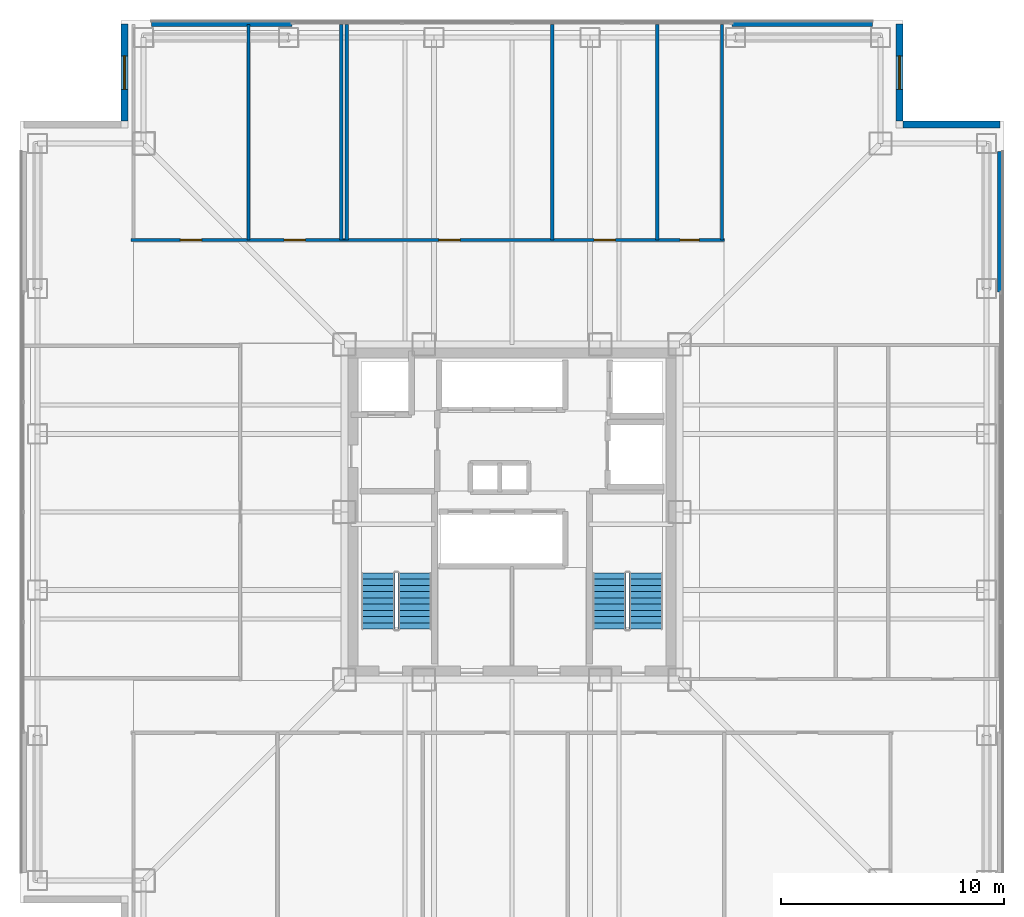
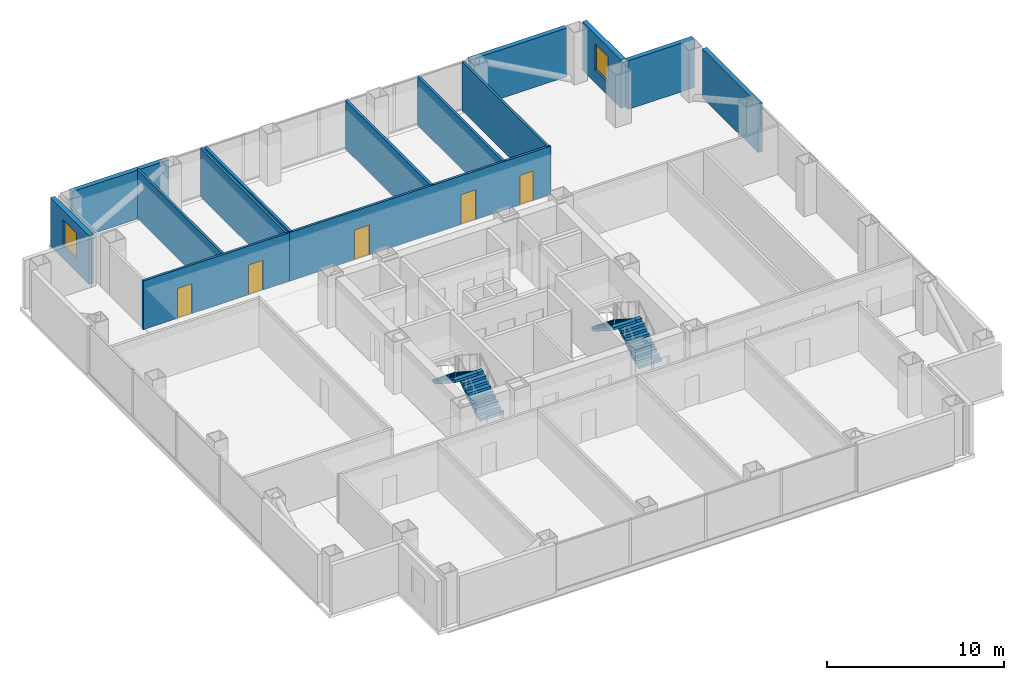
# One storey, part 10 of 13: 14 walls, 5 doors, 4 stair flights, 2 windows, 7 openings, 2 elements without a shape of their own.
"""IFC4 building model written with IfcOpenShell, lengths in metres."""

from ifc_helpers import new_model, si_unit, direction, frame, frame_2d, origin, place, context, subcontext, project, spatial, polyline, rectangle, outline, extrude, material, layer, layer_set, type_object, element, fill, aggregate, save


model = new_model("IFC4")

# Units and contexts
model_context = context("Model", 3, precision=1e-05, world=origin(), true_north=direction((0.0, 1.0)))
body_context = subcontext(model_context, "Body", "Model", "MODEL_VIEW")
ifc_project = project(units=[si_unit("LENGTHUNIT", "METRE"), si_unit("AREAUNIT", "SQUARE_METRE"), si_unit("VOLUMEUNIT", "CUBIC_METRE"), si_unit("PLANEANGLEUNIT", "RADIAN"), si_unit("MASSUNIT", "GRAM", prefix="KILO")], contexts=[model_context])

# Site, building, storey
site_placement = place(None, origin())
site = spatial("IfcSite", under=ifc_project, at=site_placement, CompositionType="ELEMENT")
building_placement = place(site_placement, origin())
building = spatial("IfcBuilding", under=site, at=building_placement, Name="Trevonay Congress Spire", CompositionType="ELEMENT")
storey_placement = place(building_placement, frame((0.0, 0.0, 112.0)))
storey = spatial("IfcBuildingStorey", under=building, at=storey_placement, Name="L28", CompositionType="ELEMENT", Elevation=112.0)

# Wall, openings, doors
ifc_material_1 = material(Name="Concrete C40/50", Category="concrete")
ifc_layer_1 = layer(ifc_material_1, 0.14990234375, Name="Concrete C40/50")
ifc_layer_set_1 = layer_set([ifc_layer_1], Name="Concrete C40/50")
wall_type_1 = type_object("IfcWallType", Name="WAL-CORR-150", PredefinedType="PARTITIONING", material=ifc_layer_set_1)
wall_1_placement = place(storey_placement, frame((-17.070068359375, 12.179931640625, 0.0), z_axis=(0.0, 0.0, 1.0), x_axis=(1.0, 0.0, 0.0)))
wall_1 = element("IfcWall", 1, at=wall_1_placement, inside=storey, type_object=wall_type_1, Name="L28 interior wall WP-L28NW-COR", PredefinedType="PARTITIONING", context=body_context, shape_type="SweptSolid", body=[
    extrude(rectangle(XDim=9.5400390625, YDim=0.14990234375, at=frame_2d((4.77001953125, 0.0))), origin(), (0.0, 0.0, 1.0), 3.360107421875),
])
opening_1_placement = place(wall_1_placement, frame((2.219970703125, 0.0, 0.0)))
opening_1 = element("IfcOpeningElement", 2, at=opening_1_placement, cuts=wall_1, Name="Opening D07", PredefinedType="OPENING", context=body_context, shape_type="SweptSolid", body=[
    extrude(rectangle(XDim=0.949951171875, YDim=2.06005859375, at=frame_2d((0.47509765625, 1.030029296875))), frame((0.0, 0.0849609375, 0.0), z_axis=(0.0, -1.0, 0.0), x_axis=(1.0, 0.0, 0.0)), (0.0, 0.0, 1.0), 0.169921875),
])
opening_2_placement = place(wall_1_placement, frame((6.8701171875, 0.0, 0.0)))
opening_2 = element("IfcOpeningElement", 3, at=opening_2_placement, cuts=wall_1, Name="Opening D07", PredefinedType="OPENING", context=body_context, shape_type="SweptSolid", body=[
    extrude(rectangle(XDim=0.949951171875, YDim=2.06005859375, at=frame_2d((0.47509765625, 1.030029296875))), frame((0.0, 0.0849609375, 0.0), z_axis=(0.0, -1.0, 0.0), x_axis=(1.0, 0.0, 0.0)), (0.0, 0.0, 1.0), 0.169921875),
])
ifc_material_2 = material(Name="Pale Anodised Aluminium EN AW-6063-T6", Category="aluminium")
door_type_1 = type_object("IfcDoorType", Name="DOR-OFFICE-95", OperationType="NOTDEFINED", PredefinedType="DOOR", material=ifc_material_2)
door_1_placement = place(opening_1_placement, origin())
door_1 = element("IfcDoor", 4, at=door_1_placement, inside=storey, type_object=door_type_1, Name="L28 Archive Registry Office Door", OperationType="SINGLE_SWING_LEFT", OverallHeight=2.06005859375, OverallWidth=0.949951171875, PredefinedType="DOOR", context=body_context, shape_type="SweptSolid", body=[
    extrude(rectangle(XDim=0.949951171875, YDim=2.06005859375, at=frame_2d((0.47509765625, 1.030029296875))), frame((0.0, 0.02490234375, 0.0), z_axis=(0.0, -1.0, 0.0), x_axis=(1.0, 0.0, 0.0)), (0.0, 0.0, 1.0), 0.050048828125),
])
fill(opening_1, door_1)
door_2_placement = place(opening_2_placement, origin())
door_2 = element("IfcDoor", 5, at=door_2_placement, inside=storey, type_object=door_type_1, Name="L28 Staff Coffee Kitchen Door", OperationType="SINGLE_SWING_RIGHT", OverallHeight=2.06005859375, OverallWidth=0.949951171875, PredefinedType="DOOR", context=body_context, shape_type="SweptSolid", body=[
    extrude(rectangle(XDim=0.949951171875, YDim=2.06005859375, at=frame_2d((0.47509765625, 1.030029296875))), frame((0.0, 0.02490234375, 0.0), z_axis=(0.0, -1.0, 0.0), x_axis=(1.0, 0.0, 0.0)), (0.0, 0.0, 1.0), 0.050048828125),
])
fill(opening_2, door_2)

wall_2_placement = place(storey_placement, frame((-7.52001953125, 12.179931640625, 0.0), z_axis=(0.0, 0.0, 1.0), x_axis=(1.0, 0.0, 0.0)))
wall_2 = element("IfcWall", 6, at=wall_2_placement, inside=storey, type_object=wall_type_1, Name="L28 interior wall WP-L28NE-COR", PredefinedType="PARTITIONING", context=body_context, shape_type="SweptSolid", body=[
    extrude(rectangle(XDim=17.0400390625, YDim=0.14990234375, at=frame_2d((8.52001953125, 0.0))), origin(), (0.0, 0.0, 1.0), 3.360107421875),
])
opening_3_placement = place(wall_2_placement, frame((4.2451171875, 0.0, 0.0)))
opening_3 = element("IfcOpeningElement", 7, at=opening_3_placement, cuts=wall_2, Name="Opening D07", PredefinedType="OPENING", context=body_context, shape_type="SweptSolid", body=[
    extrude(rectangle(XDim=0.949951171875, YDim=2.06005859375, at=frame_2d((0.47509765625, 1.030029296875))), frame((0.0, 0.0849609375, 0.0), z_axis=(0.0, -1.0, 0.0), x_axis=(1.0, 0.0, 0.0)), (0.0, 0.0, 1.0), 0.169921875),
])
opening_4_placement = place(wall_2_placement, frame((11.195068359375, 0.0, 0.0)))
opening_4 = element("IfcOpeningElement", 8, at=opening_4_placement, cuts=wall_2, Name="Opening D07", PredefinedType="OPENING", context=body_context, shape_type="SweptSolid", body=[
    extrude(rectangle(XDim=0.949951171875, YDim=2.06005859375, at=frame_2d((0.47509765625, 1.030029296875))), frame((0.0, 0.0849609375, 0.0), z_axis=(0.0, -1.0, 0.0), x_axis=(1.0, 0.0, 0.0)), (0.0, 0.0, 1.0), 0.169921875),
])
opening_5_placement = place(wall_2_placement, frame((15.044921875, 0.0, 0.0)))
opening_5 = element("IfcOpeningElement", 9, at=opening_5_placement, cuts=wall_2, Name="Opening D10", PredefinedType="OPENING", context=body_context, shape_type="SweptSolid", body=[
    extrude(rectangle(XDim=0.85009765625, YDim=2.050048828125, at=frame_2d((0.425048828125, 1.02490234375))), frame((0.0, 0.0849609375, 0.0), z_axis=(0.0, -1.0, 0.0), x_axis=(1.0, 0.0, 0.0)), (0.0, 0.0, 1.0), 0.169921875),
])
door_3_placement = place(opening_3_placement, origin())
door_3 = element("IfcDoor", 10, at=door_3_placement, inside=storey, type_object=door_type_1, Name="L28 North-East Policy Analysts Office Door", OperationType="SINGLE_SWING_LEFT", OverallHeight=2.06005859375, OverallWidth=0.949951171875, PredefinedType="DOOR", context=body_context, shape_type="SweptSolid", body=[
    extrude(rectangle(XDim=0.949951171875, YDim=2.06005859375, at=frame_2d((0.47509765625, 1.030029296875))), frame((0.0, 0.02490234375, 0.0), z_axis=(0.0, -1.0, 0.0), x_axis=(1.0, 0.0, 0.0)), (0.0, 0.0, 1.0), 0.050048828125),
])
fill(opening_3, door_3)
door_4_placement = place(opening_4_placement, origin())
door_4 = element("IfcDoor", 11, at=door_4_placement, inside=storey, type_object=door_type_1, Name="L28 Project Review Room Door", OperationType="SINGLE_SWING_RIGHT", OverallHeight=2.06005859375, OverallWidth=0.949951171875, PredefinedType="DOOR", context=body_context, shape_type="SweptSolid", body=[
    extrude(rectangle(XDim=0.949951171875, YDim=2.06005859375, at=frame_2d((0.47509765625, 1.030029296875))), frame((0.0, 0.02490234375, 0.0), z_axis=(0.0, -1.0, 0.0), x_axis=(1.0, 0.0, 0.0)), (0.0, 0.0, 1.0), 0.050048828125),
])
fill(opening_4, door_4)
door_type_2 = type_object("IfcDoorType", Name="DOR-WC-85", OperationType="NOTDEFINED", PredefinedType="DOOR", material=ifc_material_2)
door_5_placement = place(opening_5_placement, origin())
door_5 = element("IfcDoor", 12, at=door_5_placement, inside=storey, type_object=door_type_2, Name="L28 Female Restroom WC Door", OperationType="SINGLE_SWING_LEFT", OverallHeight=2.050048828125, OverallWidth=0.85009765625, PredefinedType="DOOR", context=body_context, shape_type="SweptSolid", body=[
    extrude(rectangle(XDim=0.85009765625, YDim=2.050048828125, at=frame_2d((0.425048828125, 1.02490234375))), frame((0.0, 0.02490234375, 0.0), z_axis=(0.0, -1.0, 0.0), x_axis=(1.0, 0.0, 0.0)), (0.0, 0.0, 1.0), 0.050048828125),
])
fill(opening_5, door_5)

# Walls
ifc_material_3 = material(Name="Precast concrete C40/50", Category="concrete")
ifc_layer_2 = layer(ifc_material_3, 0.300048828125, Name="Precast concrete C40/50")
ifc_layer_set_2 = layer_set([ifc_layer_2], Name="Precast concrete C40/50")
wall_type_2 = type_object("IfcWallType", Name="WAL-EXT-PRECAST-300", PredefinedType="SOLIDWALL", material=ifc_layer_set_2)
for number, where, z_axis, x_axis, name in (
    (13, (-16.14990234375, 21.8798828125, 0.0), (0.0, 0.0, 1.0), (1.0, 0.0, 0.0), "L28 NL braced-bay exterior pier wall"),
    (14, (9.85009765625, 21.8798828125, 0.0), (0.0, 0.0, 1.0), (1.0, 0.0, 0.0), "L28 NR braced-bay exterior pier wall"),
    (15, (21.8798828125, 9.85009765625, 0.0), (0.0, 0.0, 1.0), (0.0, 1.0, 0.0), "L28 ER braced-bay exterior pier wall"),
):
    element("IfcWall", number, at=place(storey_placement, frame(where, z_axis=z_axis, x_axis=x_axis)), inside=storey, type_object=wall_type_2, Name=name, PredefinedType="SOLIDWALL", context=body_context, shape_type="SweptSolid", body=[
        extrude(rectangle(XDim=6.2998046875, YDim=0.300048828125, at=frame_2d((3.14990234375, 0.0))), origin(), (0.0, 0.0, 1.0), 3.360107421875),
    ])

# Wall, opening, window
wall_3_placement = place(storey_placement, frame((17.35009765625, 21.85009765625, 0.0), z_axis=(0.0, 0.0, 1.0), x_axis=(0.0, -1.0, 0.0)))
wall_3 = element("IfcWall", 16, at=wall_3_placement, inside=storey, type_object=wall_type_2, Name="L28 NE re-entrant notch exterior wall 1", PredefinedType="SOLIDWALL", context=body_context, shape_type="SweptSolid", body=[
    extrude(rectangle(XDim=4.35009765625, YDim=0.300048828125, at=frame_2d((2.175048828125, 0.0))), origin(), (0.0, 0.0, 1.0), 3.360107421875),
])
opening_6_placement = place(wall_3_placement, frame((1.425048828125, 0.0, 0.89990234375)))
opening_6 = element("IfcOpeningElement", 17, at=opening_6_placement, cuts=wall_3, Name="Opening WN03", PredefinedType="OPENING", context=body_context, shape_type="SweptSolid", body=[
    extrude(rectangle(XDim=1.5, YDim=1.800048828125, at=frame_2d((0.75, 0.89990234375))), frame((0.0, 0.16015625, 0.0), z_axis=(0.0, -1.0, 0.0), x_axis=(1.0, 0.0, 0.0)), (0.0, 0.0, 1.0), 0.320068359375),
])
ifc_material_4 = material(Name="Insulated Low-E Vision Glass IGU", Category="glass")
window_type = type_object("IfcWindowType", Name="WIN-NOTCH-150X180", PartitioningType="SINGLE_PANEL", PredefinedType="WINDOW", material=ifc_material_4)
window_1_placement = place(opening_6_placement, origin())
window_1 = element("IfcWindow", 18, at=window_1_placement, inside=storey, type_object=window_type, Name="L28 NE corner notch window", OverallHeight=1.800048828125, OverallWidth=1.5, PartitioningType="SINGLE_PANEL", PredefinedType="WINDOW", context=body_context, shape_type="SweptSolid", body=[
    extrude(rectangle(XDim=1.5, YDim=1.800048828125, at=frame_2d((0.75, 0.89990234375))), frame((0.0, 0.030029296875, 0.0), z_axis=(0.0, -1.0, 0.0), x_axis=(1.0, 0.0, 0.0)), (0.0, 0.0, 1.0), 0.06005859375),
])
fill(opening_6, window_1)

# Wall
wall_4_placement = place(storey_placement, frame((21.85009765625, 17.35009765625, 0.0), z_axis=(0.0, 0.0, 1.0), x_axis=(-1.0, 0.0, 0.0)))
element("IfcWall", 19, at=wall_4_placement, inside=storey, type_object=wall_type_2, Name="L28 NE re-entrant notch exterior wall 2", PredefinedType="SOLIDWALL", context=body_context, shape_type="SweptSolid", body=[
    extrude(rectangle(XDim=4.35009765625, YDim=0.300048828125, at=frame_2d((2.175048828125, 0.0))), origin(), (0.0, 0.0, 1.0), 3.360107421875),
])

# Wall, opening, window
wall_5_placement = place(storey_placement, frame((-17.35009765625, 21.85009765625, 0.0), z_axis=(0.0, 0.0, 1.0), x_axis=(0.0, -1.0, 0.0)))
wall_5 = element("IfcWall", 20, at=wall_5_placement, inside=storey, type_object=wall_type_2, Name="L28 NW re-entrant notch exterior wall 1", PredefinedType="SOLIDWALL", context=body_context, shape_type="SweptSolid", body=[
    extrude(rectangle(XDim=4.35009765625, YDim=0.300048828125, at=frame_2d((2.175048828125, 0.0))), origin(), (0.0, 0.0, 1.0), 3.360107421875),
])
opening_7_placement = place(wall_5_placement, frame((1.425048828125, 0.0, 0.89990234375)))
opening_7 = element("IfcOpeningElement", 21, at=opening_7_placement, cuts=wall_5, Name="Opening WN03", PredefinedType="OPENING", context=body_context, shape_type="SweptSolid", body=[
    extrude(rectangle(XDim=1.5, YDim=1.800048828125, at=frame_2d((0.75, 0.89990234375))), frame((0.0, 0.16015625, 0.0), z_axis=(0.0, -1.0, 0.0), x_axis=(1.0, 0.0, 0.0)), (0.0, 0.0, 1.0), 0.320068359375),
])
window_2_placement = place(opening_7_placement, origin())
window_2 = element("IfcWindow", 22, at=window_2_placement, inside=storey, type_object=window_type, Name="L28 NW corner notch window", OverallHeight=1.800048828125, OverallWidth=1.5, PartitioningType="SINGLE_PANEL", PredefinedType="WINDOW", context=body_context, shape_type="SweptSolid", body=[
    extrude(rectangle(XDim=1.5, YDim=1.800048828125, at=frame_2d((0.75, 0.89990234375))), frame((0.0, 0.030029296875, 0.0), z_axis=(0.0, -1.0, 0.0), x_axis=(1.0, 0.0, 0.0)), (0.0, 0.0, 1.0), 0.06005859375),
])
fill(opening_7, window_2)

# Walls
ifc_layer_3 = layer(ifc_material_1, 0.14990234375, Name="Concrete C40/50")
ifc_layer_set_3 = layer_set([ifc_layer_3], Name="Concrete C40/50")
wall_type_3 = type_object("IfcWallType", Name="WAL-PART-150", PredefinedType="PARTITIONING", material=ifc_layer_set_3)
for number, where, z_axis, x_axis, name in (
    (23, (-11.800048828125, 12.179931640625, 0.0), (0.0, 0.0, 1.0), (0.0, 1.0, 0.0), "L28 interior wall WP-L28NW-DIV2"),
    (24, (-7.64990234375, 12.179931640625, 0.0), (0.0, 0.0, 1.0), (0.0, 1.0, 0.0), "L28 interior wall WP-L28NW-DIV3"),
    (25, (6.5, 12.179931640625, 0.0), (0.0, 0.0, 1.0), (0.0, 1.0, 0.0), "L28 interior wall WP-L28NE-DIV3"),
    (26, (9.39990234375, 12.179931640625, 0.0), (0.0, 0.0, 1.0), (0.0, 1.0, 0.0), "L28 interior wall WP-L28NE-DIV4"),
):
    element("IfcWall", number, at=place(storey_placement, frame(where, z_axis=z_axis, x_axis=x_axis)), inside=storey, type_object=wall_type_3, Name=name, PredefinedType="PARTITIONING", context=body_context, shape_type="SweptSolid", body=[
        extrude(rectangle(XDim=9.64013671875, YDim=0.14990234375, at=frame_2d((4.820068359375, 0.0))), origin(), (0.0, 0.0, 1.0), 3.360107421875),
    ])
ifc_layer_4 = layer(ifc_material_1, 0.1650390625, Name="Concrete C40/50")
ifc_layer_set_4 = layer_set([ifc_layer_4], Name="Concrete C40/50")
wall_type_4 = type_object("IfcWallType", Name="WAL-WET-165", PredefinedType="PLUMBINGWALL", material=ifc_layer_set_4)
for number, where, z_axis, x_axis, name in (
    (27, (-7.39990234375, 12.179931640625, 0.0), (0.0, 0.0, 1.0), (0.0, 1.0, 0.0), "L28 interior wall WP-L28NE-DIV1"),
    (28, (1.800048828125, 12.179931640625, 0.0), (0.0, 0.0, 1.0), (0.0, 1.0, 0.0), "L28 interior wall WP-L28NE-DIV2"),
):
    element("IfcWall", number, at=place(storey_placement, frame(where, z_axis=z_axis, x_axis=x_axis)), inside=storey, type_object=wall_type_4, Name=name, PredefinedType="PLUMBINGWALL", context=body_context, shape_type="SweptSolid", body=[
        extrude(rectangle(XDim=9.64013671875, YDim=0.1650390625, at=frame_2d((4.820068359375, 0.0))), origin(), (0.0, 0.0, 1.0), 3.360107421875),
    ])

# Stair, stair flights
stair_type_1 = type_object("IfcStairType", Name="STR-ST-1", PredefinedType="HALF_TURN_STAIR", material=ifc_material_1)
stair_1_placement = place(storey_placement, origin())
stair_1 = element("IfcStair", 29, at=stair_1_placement, inside=storey, type_object=stair_type_1, Name="L28 Protected Exit Stair ST-1", PredefinedType="HALF_TURN_STAIR")
stair_flight_type_1 = type_object("IfcStairFlightType", Name="SFL-ST-1", PredefinedType="STRAIGHT", material=ifc_material_1)
stair_flight_1_placement = place(storey_placement, frame((-4.35009765625, -5.25, 0.0), z_axis=(0.0, 0.0, 1.0), x_axis=(0.0, 1.0, 0.0)))
stair_flight_1 = element("IfcStairFlight", 30, at=stair_flight_1_placement, type_object=stair_flight_type_1, Name="ST-1 flight 1", NumberOfRisers=10, NumberOfTreads=9, PredefinedType="STRAIGHT", RiserHeight=0.18, TreadLength=0.28, context=body_context, shape_type="SweptSolid", body=[
    extrude(outline(polyline([(0.0, 0.0), (0.0, 0.179931640625), (0.280029296875, 0.179931640625), (0.280029296875, 0.360107421875), (0.56005859375, 0.360107421875), (0.56005859375, 0.5400390625), (0.840087890625, 0.5400390625), (0.840087890625, 0.719970703125), (1.1201171875, 0.719970703125), (1.1201171875, 0.89990234375), (1.39990234375, 0.89990234375), (1.39990234375, 1.080078125), (1.679931640625, 1.080078125), (1.679931640625, 1.260009765625), (1.9599609375, 1.260009765625), (1.9599609375, 1.43994140625), (2.239990234375, 1.43994140625), (2.239990234375, 1.6201171875), (2.52001953125, 1.6201171875), (2.52001953125, 1.800048828125), (2.52001953125, 1.44189453125), (0.277099609375, 0.0), (0.0, 0.0)])), frame((0.0, 0.75, 0.0), z_axis=(0.0, -1.0, 0.0), x_axis=(1.0, 0.0, 0.0)), (0.0, 0.0, 1.0), 1.5),
])
stair_flight_2_placement = place(storey_placement, frame((-6.0, -2.72998046875, 1.800048828125), z_axis=(0.0, 0.0, 1.0), x_axis=(0.0, -1.0, 0.0)))
stair_flight_2 = element("IfcStairFlight", 31, at=stair_flight_2_placement, type_object=stair_flight_type_1, Name="ST-1 flight 2", NumberOfRisers=10, NumberOfTreads=9, PredefinedType="STRAIGHT", RiserHeight=0.18, TreadLength=0.28, context=body_context, shape_type="SweptSolid", body=[
    extrude(outline(polyline([(0.0, 0.0), (0.0, 0.179931640625), (0.280029296875, 0.179931640625), (0.280029296875, 0.360107421875), (0.56005859375, 0.360107421875), (0.56005859375, 0.5400390625), (0.840087890625, 0.5400390625), (0.840087890625, 0.719970703125), (1.1201171875, 0.719970703125), (1.1201171875, 0.89990234375), (1.39990234375, 0.89990234375), (1.39990234375, 1.080078125), (1.679931640625, 1.080078125), (1.679931640625, 1.260009765625), (1.9599609375, 1.260009765625), (1.9599609375, 1.43994140625), (2.239990234375, 1.43994140625), (2.239990234375, 1.6201171875), (2.52001953125, 1.6201171875), (2.52001953125, 1.800048828125), (2.52001953125, 1.44189453125), (0.277099609375, 0.0), (0.0, 0.0)])), frame((0.0, 0.75, 0.0), z_axis=(0.0, -1.0, 0.0), x_axis=(1.0, 0.0, 0.0)), (0.0, 0.0, 1.0), 1.5),
])
aggregate(stair_1, [stair_flight_1, stair_flight_2])

stair_type_2 = type_object("IfcStairType", Name="STR-ST-2", PredefinedType="HALF_TURN_STAIR", material=ifc_material_1)
stair_2_placement = place(storey_placement, origin())
stair_2 = element("IfcStair", 32, at=stair_2_placement, inside=storey, type_object=stair_type_2, Name="L28 Protected Exit Stair ST-2", PredefinedType="HALF_TURN_STAIR")
stair_flight_type_2 = type_object("IfcStairFlightType", Name="SFL-ST-2", PredefinedType="STRAIGHT", material=ifc_material_1)
stair_flight_3_placement = place(storey_placement, frame((6.0, -5.25, 0.0), z_axis=(0.0, 0.0, 1.0), x_axis=(0.0, 1.0, 0.0)))
stair_flight_3 = element("IfcStairFlight", 33, at=stair_flight_3_placement, type_object=stair_flight_type_2, Name="ST-2 flight 1", NumberOfRisers=10, NumberOfTreads=9, PredefinedType="STRAIGHT", RiserHeight=0.18, TreadLength=0.28, context=body_context, shape_type="SweptSolid", body=[
    extrude(outline(polyline([(0.0, 0.0), (0.0, 0.179931640625), (0.280029296875, 0.179931640625), (0.280029296875, 0.360107421875), (0.56005859375, 0.360107421875), (0.56005859375, 0.5400390625), (0.840087890625, 0.5400390625), (0.840087890625, 0.719970703125), (1.1201171875, 0.719970703125), (1.1201171875, 0.89990234375), (1.39990234375, 0.89990234375), (1.39990234375, 1.080078125), (1.679931640625, 1.080078125), (1.679931640625, 1.260009765625), (1.9599609375, 1.260009765625), (1.9599609375, 1.43994140625), (2.239990234375, 1.43994140625), (2.239990234375, 1.6201171875), (2.52001953125, 1.6201171875), (2.52001953125, 1.800048828125), (2.52001953125, 1.44189453125), (0.277099609375, 0.0), (0.0, 0.0)])), frame((0.0, 0.75, 0.0), z_axis=(0.0, -1.0, 0.0), x_axis=(1.0, 0.0, 0.0)), (0.0, 0.0, 1.0), 1.5),
])
stair_flight_4_placement = place(storey_placement, frame((4.35009765625, -2.72998046875, 1.800048828125), z_axis=(0.0, 0.0, 1.0), x_axis=(0.0, -1.0, 0.0)))
stair_flight_4 = element("IfcStairFlight", 34, at=stair_flight_4_placement, type_object=stair_flight_type_2, Name="ST-2 flight 2", NumberOfRisers=10, NumberOfTreads=9, PredefinedType="STRAIGHT", RiserHeight=0.18, TreadLength=0.28, context=body_context, shape_type="SweptSolid", body=[
    extrude(outline(polyline([(0.0, 0.0), (0.0, 0.179931640625), (0.280029296875, 0.179931640625), (0.280029296875, 0.360107421875), (0.56005859375, 0.360107421875), (0.56005859375, 0.5400390625), (0.840087890625, 0.5400390625), (0.840087890625, 0.719970703125), (1.1201171875, 0.719970703125), (1.1201171875, 0.89990234375), (1.39990234375, 0.89990234375), (1.39990234375, 1.080078125), (1.679931640625, 1.080078125), (1.679931640625, 1.260009765625), (1.9599609375, 1.260009765625), (1.9599609375, 1.43994140625), (2.239990234375, 1.43994140625), (2.239990234375, 1.6201171875), (2.52001953125, 1.6201171875), (2.52001953125, 1.800048828125), (2.52001953125, 1.44189453125), (0.277099609375, 0.0), (0.0, 0.0)])), frame((0.0, 0.75, 0.0), z_axis=(0.0, -1.0, 0.0), x_axis=(1.0, 0.0, 0.0)), (0.0, 0.0, 1.0), 1.5),
])
aggregate(stair_2, [stair_flight_3, stair_flight_4])

save(model, "model.ifc")
